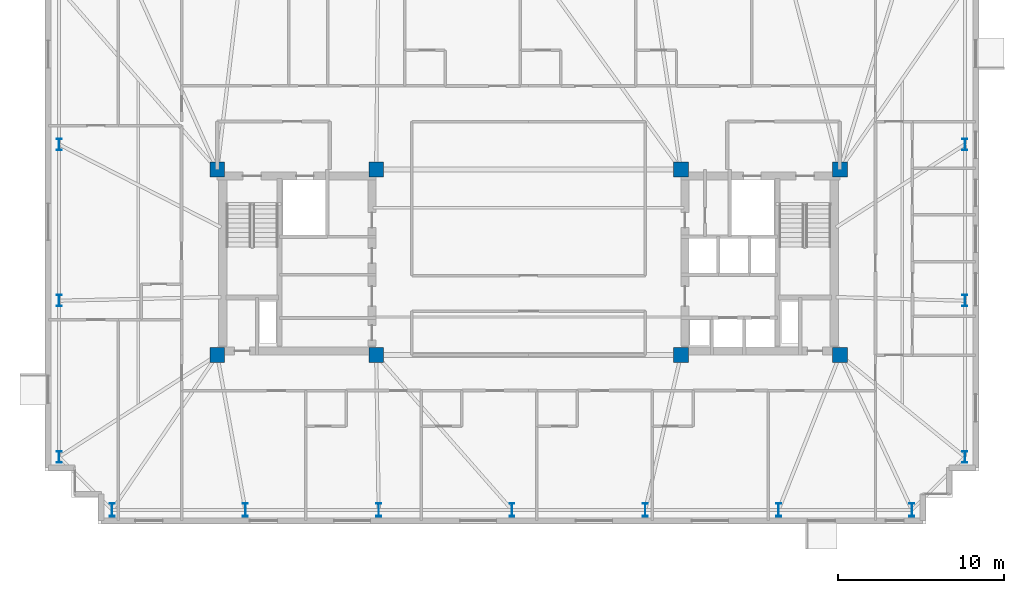
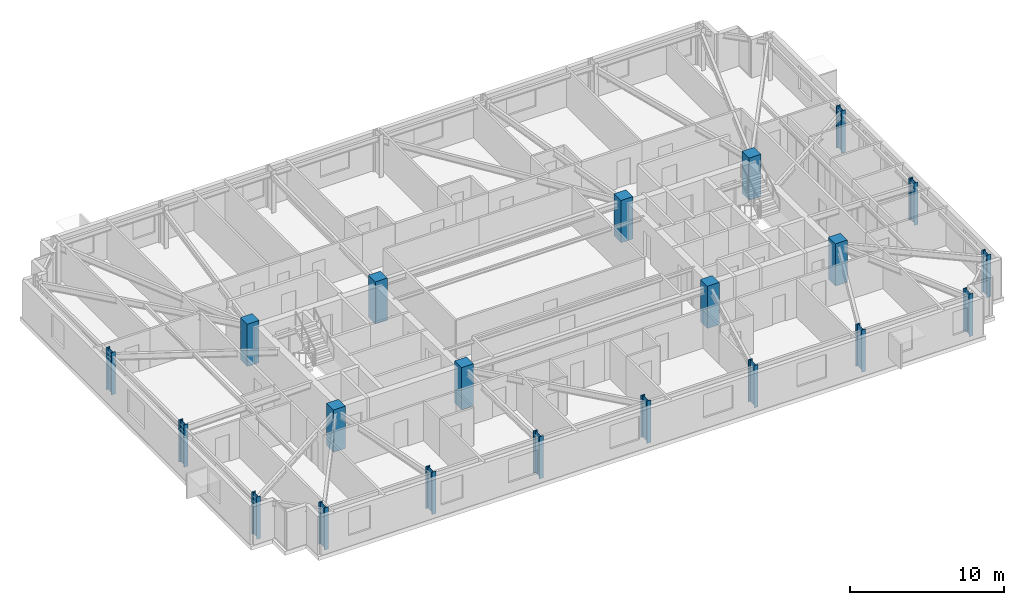
# One storey, part 1 of 17: 21 columns.
"""IFC4 building model written with IfcOpenShell, lengths in metres."""

from ifc_helpers import new_model, si_unit, direction, frame, origin, origin_2d, place, context, subcontext, project, spatial, rectangle, i_section, extrude, material, material_profile, profile_set, type_object, element, save


model = new_model("IFC4")

# Units and contexts
model_context = context("Model", 3, precision=1e-05, world=origin(), true_north=direction((0.0, 1.0)))
body_context = subcontext(model_context, "Body", "Model", "MODEL_VIEW")
ifc_project = project(units=[si_unit("LENGTHUNIT", "METRE"), si_unit("AREAUNIT", "SQUARE_METRE"), si_unit("VOLUMEUNIT", "CUBIC_METRE"), si_unit("PLANEANGLEUNIT", "RADIAN"), si_unit("MASSUNIT", "GRAM", prefix="KILO")], contexts=[model_context])

# Site, building, storey
site_placement = place(None, origin())
site = spatial("IfcSite", under=ifc_project, at=site_placement, CompositionType="ELEMENT")
building_placement = place(site_placement, origin())
building = spatial("IfcBuilding", under=site, at=building_placement, Name="Qobustan Lattice House", CompositionType="ELEMENT")
storey_placement = place(building_placement, frame((0.0, 0.0, 161.14990234375)))
storey = spatial("IfcBuildingStorey", under=building, at=storey_placement, Name="L45", CompositionType="ELEMENT", Elevation=161.14990234375)

# Columns
ifc_material_1 = material(Name="Concrete C50/60", Category="concrete")
ifc_material_profile_1 = material_profile(ifc_material_1, rectangle(XDim=0.89990234375, YDim=0.89990234375, at=origin_2d()), Name="RC900x900")
ifc_profile_set_1 = profile_set([ifc_material_profile_1], Name="Concrete C50/60")
column_type_1 = type_object("IfcColumnType", Name="COL-RC-900", PredefinedType="COLUMN", material=ifc_profile_set_1)
for number, where, z_axis, x_axis, name in (
    (1, (-18.800048828125, -5.60009765625, 0.0), (0.0, 0.0, 1.0), (1.0, 0.0, 0.0), "L45 core mega-column CW-SW"),
    (2, (-18.800048828125, 5.60009765625, 0.0), (0.0, 0.0, 1.0), (1.0, 0.0, 0.0), "L45 core mega-column CW-NW"),
    (3, (-9.199951171875, -5.60009765625, 0.0), (0.0, 0.0, 1.0), (1.0, 0.0, 0.0), "L45 core mega-column CW-SE"),
    (4, (-9.199951171875, 5.60009765625, 0.0), (0.0, 0.0, 1.0), (1.0, 0.0, 0.0), "L45 core mega-column CW-NE"),
    (5, (9.199951171875, -5.60009765625, 0.0), (0.0, 0.0, 1.0), (1.0, 0.0, 0.0), "L45 core mega-column CE-SW"),
    (6, (9.199951171875, 5.60009765625, 0.0), (0.0, 0.0, 1.0), (1.0, 0.0, 0.0), "L45 core mega-column CE-NW"),
    (7, (18.800048828125, -5.60009765625, 0.0), (0.0, 0.0, 1.0), (1.0, 0.0, 0.0), "L45 core mega-column CE-SE"),
    (8, (18.800048828125, 5.60009765625, 0.0), (0.0, 0.0, 1.0), (1.0, 0.0, 0.0), "L45 core mega-column CE-NE"),
):
    element("IfcColumn", number, at=place(storey_placement, frame(where, z_axis=z_axis, x_axis=x_axis)), inside=storey, type_object=column_type_1, Name=name, PredefinedType="COLUMN", context=body_context, shape_type="SweptSolid", body=[
        extrude(rectangle(XDim=0.89990234375, YDim=0.89990234375, at=origin_2d()), origin(), (0.0, 0.0, 1.0), 3.35009765625),
    ])
ifc_material_2 = material(Name="Steel S355", Category="steel")
ifc_material_profile_2 = material_profile(ifc_material_2, i_section(OverallWidth=0.300048828125, OverallDepth=0.699951171875, WebThickness=0.01708984375, FlangeThickness=0.031982421875, FilletRadius=0.027099609375, at=origin_2d()), Name="HEB700")
ifc_profile_set_2 = profile_set([ifc_material_profile_2], Name="Steel S355")
column_type_2 = type_object("IfcColumnType", Name="COL-ST-HEB700", PredefinedType="COLUMN", material=ifc_profile_set_2)
for number, where, z_axis, x_axis, name in (
    (9, (26.35009765625, -11.75, 0.0), (0.0, 0.0, 1.0), (1.0, 0.0, 0.0), "L45 B3 perimeter column E1"),
    (10, (26.35009765625, -2.316650390625, 0.0), (0.0, 0.0, 1.0), (1.0, 0.0, 0.0), "L45 B3 perimeter column E2"),
    (11, (26.35009765625, 7.11669921875, 0.0), (0.0, 0.0, 1.0), (1.0, 0.0, 0.0), "L45 B3 perimeter column E3"),
    (12, (-28.35009765625, 7.11669921875, 0.0), (0.0, 0.0, 1.0), (1.0, 0.0, 0.0), "L45 B3 perimeter column W2"),
    (13, (-28.35009765625, -2.316650390625, 0.0), (0.0, 0.0, 1.0), (1.0, 0.0, 0.0), "L45 B3 perimeter column W3"),
    (14, (-28.35009765625, -11.75, 0.0), (0.0, 0.0, 1.0), (1.0, 0.0, 0.0), "L45 B3 perimeter column W4"),
):
    element("IfcColumn", number, at=place(storey_placement, frame(where, z_axis=z_axis, x_axis=x_axis)), inside=storey, type_object=column_type_2, Name=name, PredefinedType="COLUMN", context=body_context, shape_type="SweptSolid", body=[
        extrude(i_section(OverallWidth=0.300048828125, OverallDepth=0.699951171875, WebThickness=0.01708984375, FlangeThickness=0.031982421875, FilletRadius=0.027099609375, at=origin_2d()), origin(), (0.0, 0.0, 1.0), 3.35009765625),
    ])
ifc_material_3 = material(Name="Steel S355", Category="steel")
ifc_material_profile_3 = material_profile(ifc_material_3, i_section(OverallWidth=0.300048828125, OverallDepth=0.800048828125, WebThickness=0.017578125, FlangeThickness=0.032958984375, FilletRadius=0.030029296875, at=origin_2d()), Name="HEB800")
ifc_profile_set_3 = profile_set([ifc_material_profile_3], Name="Steel S355")
column_type_3 = type_object("IfcColumnType", Name="COL-ST-HEB800", PredefinedType="COLUMN", material=ifc_profile_set_3)
for number, where, z_axis, x_axis, name in (
    (15, (-25.14990234375, -14.949951171875, 0.0), (0.0, 0.0, 1.0), (1.0, 0.0, 0.0), "L45 B3 perimeter column S1"),
    (16, (-17.10009765625, -14.949951171875, 0.0), (0.0, 0.0, 1.0), (1.0, 0.0, 0.0), "L45 B3 perimeter column S2"),
    (17, (-9.050048828125, -14.949951171875, 0.0), (0.0, 0.0, 1.0), (1.0, 0.0, 0.0), "L45 B3 perimeter column S3"),
    (18, (-1.0, -14.949951171875, 0.0), (0.0, 0.0, 1.0), (1.0, 0.0, 0.0), "L45 B3 perimeter column S4"),
    (19, (7.050048828125, -14.949951171875, 0.0), (0.0, 0.0, 1.0), (1.0, 0.0, 0.0), "L45 B3 perimeter column S5"),
    (20, (15.10009765625, -14.949951171875, 0.0), (0.0, 0.0, 1.0), (1.0, 0.0, 0.0), "L45 B3 perimeter column S6"),
    (21, (23.14990234375, -14.949951171875, 0.0), (0.0, 0.0, 1.0), (1.0, 0.0, 0.0), "L45 B3 perimeter column S7"),
):
    element("IfcColumn", number, at=place(storey_placement, frame(where, z_axis=z_axis, x_axis=x_axis)), inside=storey, type_object=column_type_3, Name=name, PredefinedType="COLUMN", context=body_context, shape_type="SweptSolid", body=[
        extrude(i_section(OverallWidth=0.300048828125, OverallDepth=0.800048828125, WebThickness=0.017578125, FlangeThickness=0.032958984375, FilletRadius=0.030029296875, at=origin_2d()), origin(), (0.0, 0.0, 1.0), 3.35009765625),
    ])

save(model, "model.ifc")
